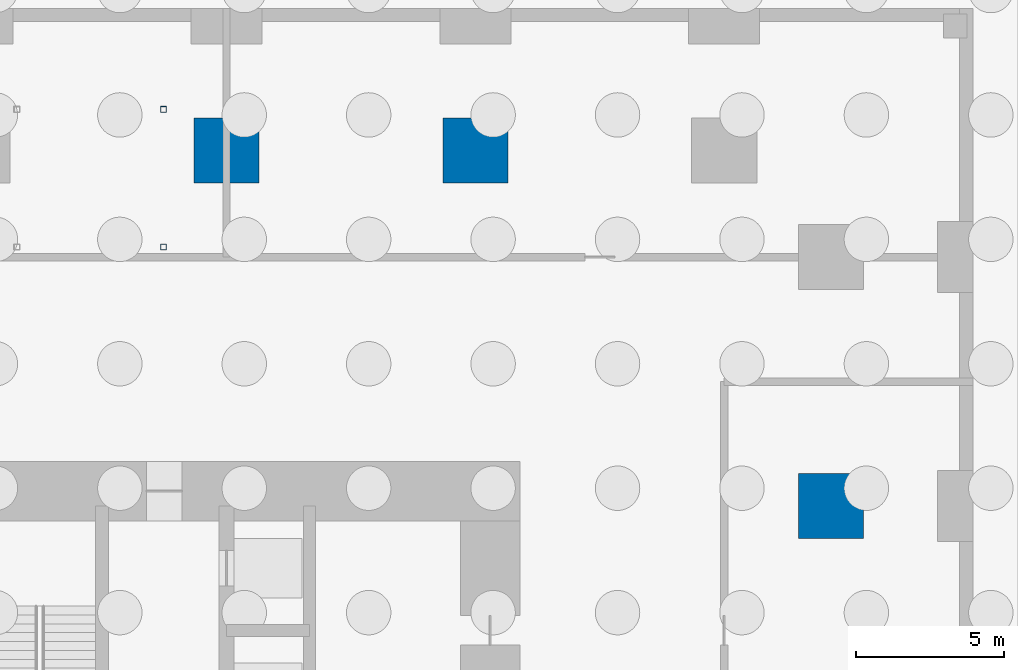
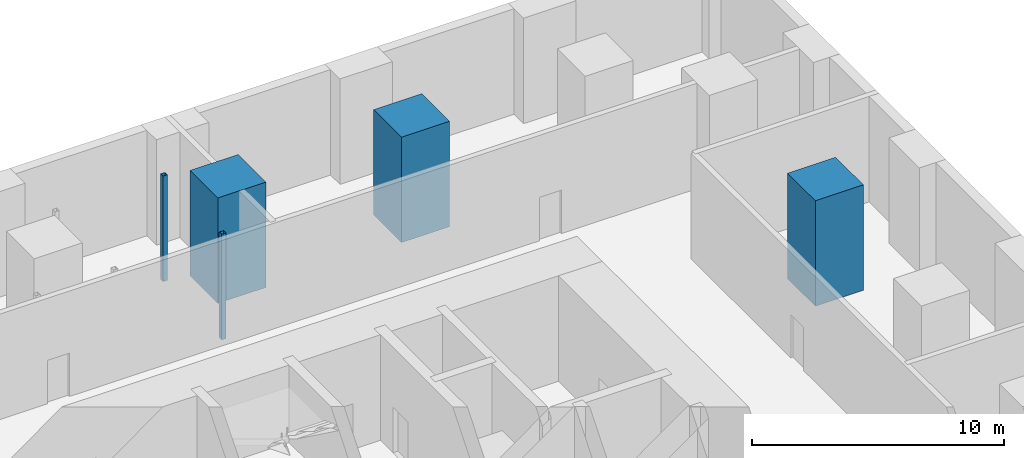
# One storey, part 10 of 18: 5 columns.
"""IFC4 building model written with IfcOpenShell, lengths in metres."""

from ifc_helpers import new_model, si_unit, direction, frame, origin, origin_2d, place, context, subcontext, project, spatial, rectangle, hollow_rectangle, extrude, material, material_profile, profile_set, type_object, element, save


model = new_model("IFC4")

# Units and contexts
model_context = context("Model", 3, precision=1e-05, world=origin(), true_north=direction((0.0, 1.0)))
body_context = subcontext(model_context, "Body", "Model", "MODEL_VIEW")
ifc_project = project(units=[si_unit("LENGTHUNIT", "METRE"), si_unit("AREAUNIT", "SQUARE_METRE"), si_unit("VOLUMEUNIT", "CUBIC_METRE"), si_unit("PLANEANGLEUNIT", "RADIAN"), si_unit("MASSUNIT", "GRAM", prefix="KILO")], contexts=[model_context])

# Site, building, storey
site_placement = place(None, origin())
site = spatial("IfcSite", under=ifc_project, at=site_placement, CompositionType="ELEMENT")
building_placement = place(site_placement, origin())
building = spatial("IfcBuilding", under=site, at=building_placement, Name="Dunama Terrace Hotel", CompositionType="ELEMENT")
storey_placement = place(building_placement, frame((0.0, 0.0, -5.39990234375)))
storey = spatial("IfcBuildingStorey", under=building, at=storey_placement, Name="B1", CompositionType="ELEMENT", Elevation=-5.39990234375)

# Columns
ifc_material_1 = material(Name="Concrete C60/75", Category="concrete")
ifc_material_profile_1 = material_profile(ifc_material_1, rectangle(XDim=2.199951171875, YDim=2.199951171875, at=origin_2d()), Name="RC 2200x2200")
ifc_profile_set_1 = profile_set([ifc_material_profile_1], Name="Concrete C60/75")
column_type_1 = type_object("IfcColumnType", Name="Column RC 2200x2200", PredefinedType="COLUMN", material=ifc_profile_set_1)
for number, where, z_axis, x_axis, name in (
    (1, (33.60009765625, 54.0, 0.0), (0.0, 0.0, 1.0), (1.0, 0.0, 0.0), "Column B1 +33.6/+54.0"),
    (2, (42.0, 54.0, 0.0), (0.0, 0.0, 1.0), (1.0, 0.0, 0.0), "Column B1 +42.0/+54.0"),
    (3, (54.0, 42.0, 0.0), (0.0, 0.0, 1.0), (1.0, 0.0, 0.0), "Column B1 +54.0/+42.0"),
):
    element("IfcColumn", number, at=place(storey_placement, frame(where, z_axis=z_axis, x_axis=x_axis)), inside=storey, type_object=column_type_1, Name=name, PredefinedType="COLUMN", context=body_context, shape_type="SweptSolid", body=[
        extrude(rectangle(XDim=2.199951171875, YDim=2.199951171875, at=origin_2d()), origin(), (0.0, 0.0, 1.0), 5.099853515625),
    ])
ifc_material_2 = material(Name="Steel S355", Category="steel")
ifc_material_profile_2 = material_profile(ifc_material_2, hollow_rectangle(XDim=0.199951171875, YDim=0.199951171875, WallThickness=0.010009765625, at=origin_2d()), Name="SHS 200x200x10")
ifc_profile_set_2 = profile_set([ifc_material_profile_2], Name="Steel S355")
column_type_2 = type_object("IfcColumnType", Name="Stair post SHS 200x200x10", PredefinedType="COLUMN", material=ifc_profile_set_2)
for number, where, z_axis, x_axis, name in (
    (4, (31.47509765625, 50.742431640625, 0.0), (0.0, 0.0, 1.0), (1.0, 0.0, 0.0), "Stair post P6 B1 +31.48/+50.74"),
    (5, (31.47509765625, 55.387451171875, 0.0), (0.0, 0.0, 1.0), (1.0, 0.0, 0.0), "Stair post P6 B1 +31.48/+55.39"),
):
    element("IfcColumn", number, at=place(storey_placement, frame(where, z_axis=z_axis, x_axis=x_axis)), inside=storey, type_object=column_type_2, Name=name, PredefinedType="COLUMN", context=body_context, shape_type="SweptSolid", body=[
        extrude(hollow_rectangle(XDim=0.199951171875, YDim=0.199951171875, WallThickness=0.010009765625, at=origin_2d()), origin(), (0.0, 0.0, 1.0), 5.099853515625),
    ])

save(model, "model.ifc")
